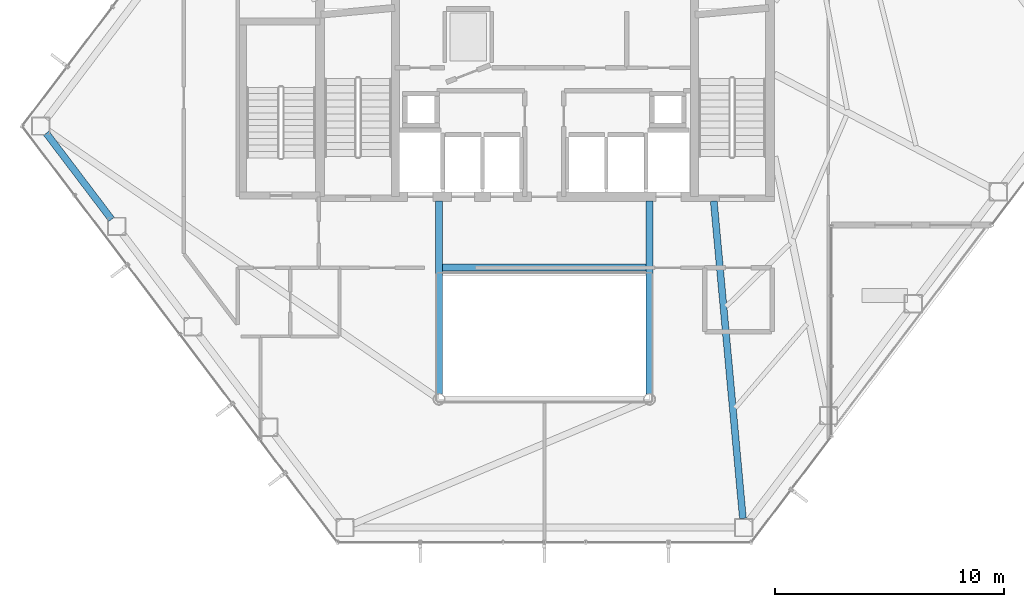
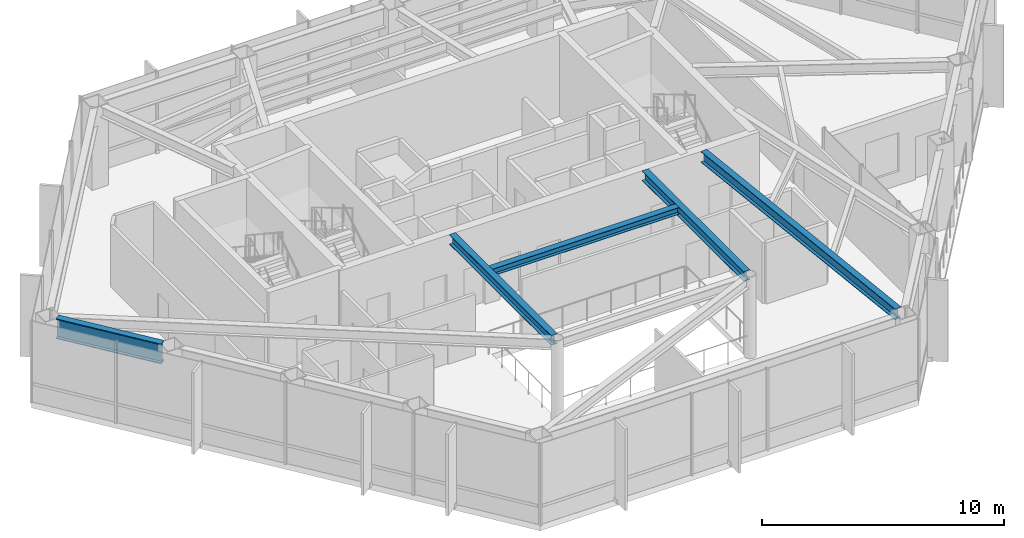
# One storey, part 9 of 27: 5 beams.
"""IFC4 building model written with IfcOpenShell, lengths in metres."""

from ifc_helpers import new_model, si_unit, direction, frame, origin, origin_2d, place, context, subcontext, project, spatial, i_section, extrude, material, material_profile, profile_set, type_object, element, save


model = new_model("IFC4")

# Units and contexts
model_context = context("Model", 3, precision=1e-05, world=origin(), true_north=direction((0.0, 1.0)))
body_context = subcontext(model_context, "Body", "Model", "MODEL_VIEW")
ifc_project = project(units=[si_unit("LENGTHUNIT", "METRE"), si_unit("AREAUNIT", "SQUARE_METRE"), si_unit("VOLUMEUNIT", "CUBIC_METRE"), si_unit("PLANEANGLEUNIT", "RADIAN"), si_unit("MASSUNIT", "GRAM", prefix="KILO")], contexts=[model_context])

# Site, building, storey
site_placement = place(None, origin())
site = spatial("IfcSite", under=ifc_project, at=site_placement, CompositionType="ELEMENT")
building_placement = place(site_placement, origin())
building = spatial("IfcBuilding", under=site, at=building_placement, Name="Zarrinselat Tower", CompositionType="ELEMENT")
storey_placement = place(building_placement, frame((0.0, 0.0, 114.580078125)))
storey = spatial("IfcBuildingStorey", under=building, at=storey_placement, Name="L27", CompositionType="ELEMENT", Elevation=114.580078125)

# Beams
ifc_material_1 = material(Name="Steel S355J2", Category="steel")
ifc_material_profile_1 = material_profile(ifc_material_1, i_section(OverallWidth=0.300048828125, OverallDepth=0.35009765625, WebThickness=0.010009765625, FlangeThickness=0.017578125, at=origin_2d()), Name="HEA 360")
ifc_profile_set_1 = profile_set([ifc_material_profile_1], Name="Steel S355J2")
beam_type_1 = type_object("IfcBeamType", Name="BM-HEA360", PredefinedType="LINTEL", material=ifc_profile_set_1)
beam_1_placement = place(storey_placement, frame((33.93994140625, 30.14990234375, 3.94482421875), z_axis=(1.0, 0.0, 0.0), x_axis=(0.0, 1.0, 0.0)))
element("IfcBeam", 1, at=beam_1_placement, inside=storey, type_object=beam_type_1, Name="L27 Lift Lobby Ceiling Beam", PredefinedType="LINTEL", context=body_context, shape_type="SweptSolid", body=[
    extrude(i_section(OverallWidth=0.300048828125, OverallDepth=0.35009765625, WebThickness=0.010009765625, FlangeThickness=0.017578125, at=origin_2d()), origin(), (0.0, 0.0, 1.0), 8.920166015625),
])
ifc_material_2 = material(Name="Steel S355J2", Category="steel")
ifc_material_profile_2 = material_profile(ifc_material_2, i_section(OverallWidth=0.300048828125, OverallDepth=0.5, WebThickness=0.014404296875, FlangeThickness=0.028076171875, at=origin_2d()), Name="HEB 500")
ifc_profile_set_2 = profile_set([ifc_material_profile_2], Name="Steel S355J2")
beam_type_2 = type_object("IfcBeamType", Name="BM-HEB500", PredefinedType="BEAM", material=ifc_profile_set_2)
for number, where, z_axis, x_axis, name in (
    (2, (33.800048828125, 24.639892578125, 3.869873046875), (0.0, 1.0, 0.0), (-1.0, 0.0, 0.0), "L27 Atrium Edge Beam W"),
    (3, (43.0, 24.639892578125, 3.869873046875), (0.0, 1.0, 0.0), (-1.0, 0.0, 0.0), "L27 Atrium Edge Beam E"),
):
    element("IfcBeam", number, at=place(storey_placement, frame(where, z_axis=z_axis, x_axis=x_axis)), inside=storey, type_object=beam_type_2, Name=name, PredefinedType="BEAM", context=body_context, shape_type="SweptSolid", body=[
        extrude(i_section(OverallWidth=0.300048828125, OverallDepth=0.5, WebThickness=0.014404296875, FlangeThickness=0.028076171875, at=origin_2d()), origin(), (0.0, 0.0, 1.0), 8.420166015625),
    ])
ifc_material_3 = material(Name="Steel S355J2", Category="steel")
ifc_material_profile_3 = material_profile(ifc_material_3, i_section(OverallWidth=0.300048828125, OverallDepth=0.550048828125, WebThickness=0.014892578125, FlangeThickness=0.029052734375, at=origin_2d()), Name="HEB 550")
ifc_profile_set_3 = profile_set([ifc_material_profile_3], Name="Steel S355J2")
beam_type_3 = type_object("IfcBeamType", Name="BM-HEB550", PredefinedType="BEAM", material=ifc_profile_set_3)
beam_2_placement = place(storey_placement, frame((45.800048828125, 33.06005859375, 3.844970703125), z_axis=(0.09140699487, -0.995813617746, 0.0), x_axis=(0.995813617746, 0.09140699487, 0.0)))
element("IfcBeam", 4, at=beam_2_placement, inside=storey, type_object=beam_type_3, Name="L27 Radial Primary Girder RG11", PredefinedType="BEAM", context=body_context, shape_type="SweptSolid", body=[
    extrude(i_section(OverallWidth=0.300048828125, OverallDepth=0.550048828125, WebThickness=0.014892578125, FlangeThickness=0.029052734375, at=origin_2d()), origin(), (0.0, 0.0, 1.0), 13.9208984375),
])
ifc_material_4 = material(Name="Steel S460M", Category="steel")
ifc_material_profile_4 = material_profile(ifc_material_4, i_section(OverallWidth=0.302001953125, OverallDepth=1.008056640625, WebThickness=0.02099609375, FlangeThickness=0.0400390625, at=origin_2d()), Name="HEM 1000")
ifc_profile_set_4 = profile_set([ifc_material_profile_4], Name="Steel S460M")
beam_type_4 = type_object("IfcBeamType", Name="BM-HEM1000", PredefinedType="BEAM", material=ifc_profile_set_4)
beam_3_placement = place(storey_placement, frame((16.638671875, 36.02587890625, 3.615966796875), z_axis=(0.603870621667, -0.797082349753, 0.0), x_axis=(0.797082349753, 0.603870621667, 0.0)))
element("IfcBeam", 5, at=beam_3_placement, inside=storey, type_object=beam_type_4, Name="L27 Perimeter Spandrel Girder SP06", PredefinedType="BEAM", context=body_context, shape_type="SweptSolid", body=[
    extrude(i_section(OverallWidth=0.302001953125, OverallDepth=1.008056640625, WebThickness=0.02099609375, FlangeThickness=0.0400390625, at=origin_2d()), origin(), (0.0, 0.0, 1.0), 4.724609375),
])

save(model, "model.ifc")
